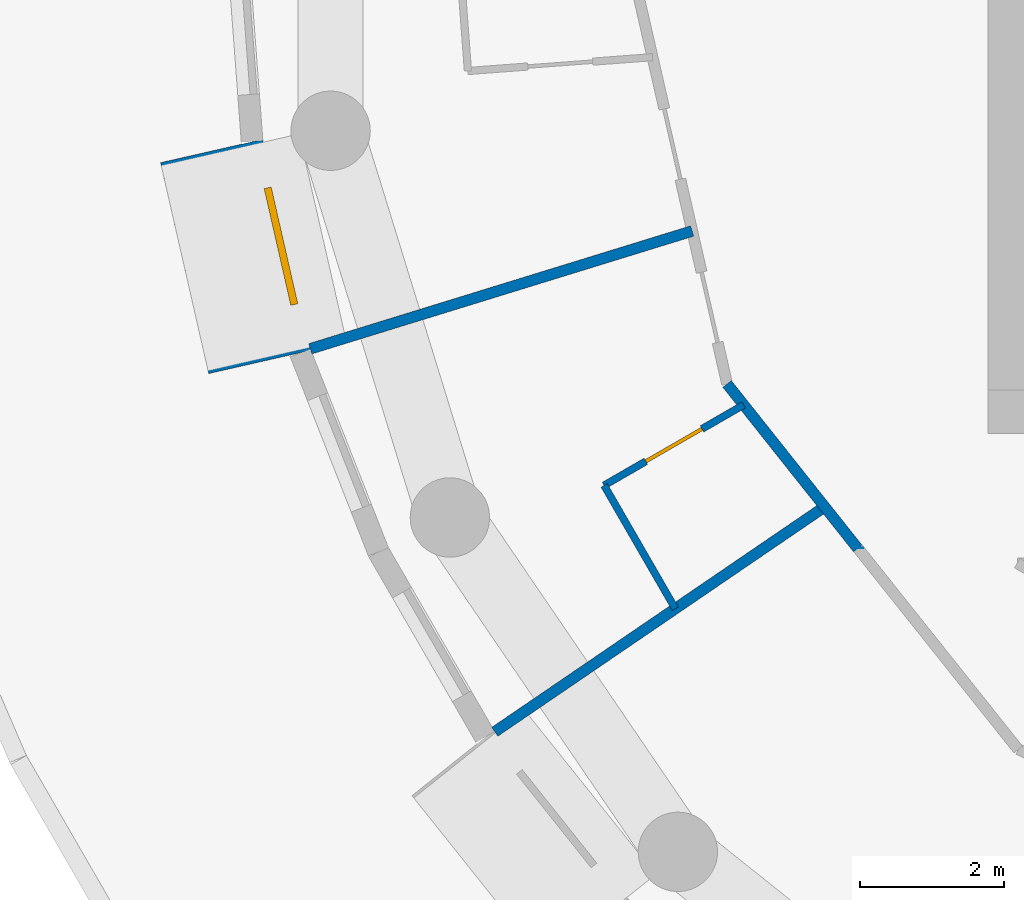
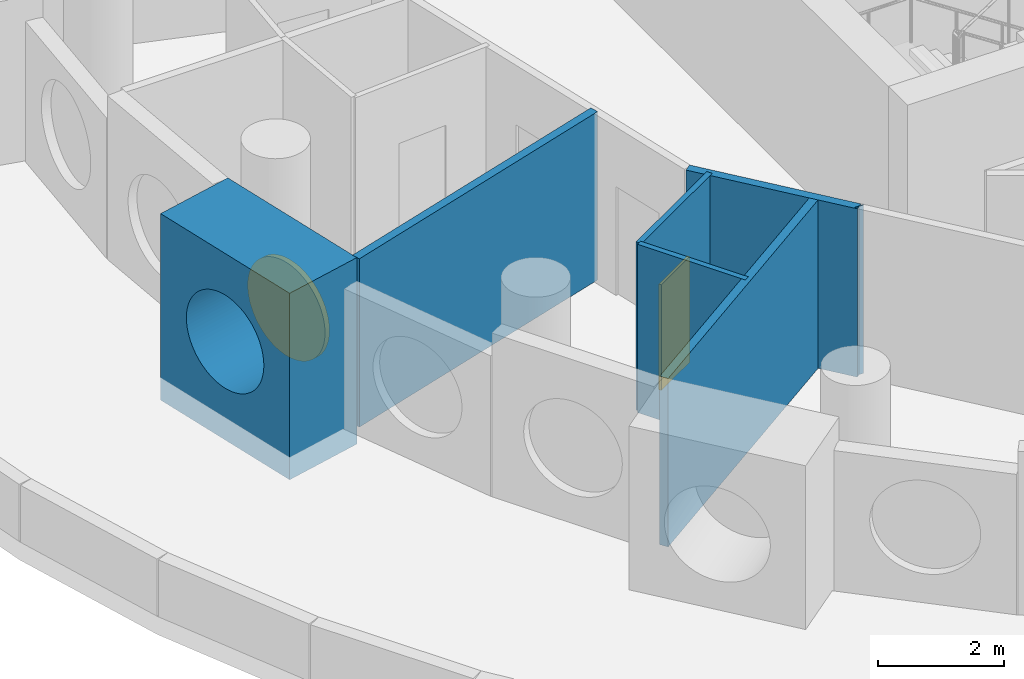
# One storey, part 3 of 13: 7 walls, 1 door, 1 window, 2 openings.
"""IFC4 building model written with IfcOpenShell, lengths in metres."""

from ifc_helpers import new_model, si_unit, direction, frame, frame_2d, origin, origin_2d, place, context, subcontext, project, spatial, rectangle, circle, extrude, material, layer, layer_set, type_object, element, fill, save


model = new_model("IFC4")

# Units and contexts
model_context = context("Model", 3, precision=1e-05, world=origin(), true_north=direction((0.0, 1.0)))
body_context = subcontext(model_context, "Body", "Model", "MODEL_VIEW")
ifc_project = project(units=[si_unit("LENGTHUNIT", "METRE"), si_unit("AREAUNIT", "SQUARE_METRE"), si_unit("VOLUMEUNIT", "CUBIC_METRE"), si_unit("PLANEANGLEUNIT", "RADIAN"), si_unit("MASSUNIT", "GRAM", prefix="KILO")], contexts=[model_context])

# Site, building, storey
site_placement = place(None, origin())
site = spatial("IfcSite", under=ifc_project, at=site_placement, CompositionType="ELEMENT")
building_placement = place(site_placement, origin())
building = spatial("IfcBuilding", under=site, at=building_placement, Name="Tracery Tower", CompositionType="ELEMENT")
storey_placement = place(building_placement, frame((0.0, 0.0, 231.0)))
storey = spatial("IfcBuildingStorey", under=building, at=storey_placement, Name="L59", CompositionType="ELEMENT", Elevation=231.0)

# Wall, opening, window
ifc_material_1 = material(Name="Precast concrete C50/60", Category="concrete")
ifc_layer_1 = layer(ifc_material_1, 1.449951171875)
ifc_layer_set_1 = layer_set([ifc_layer_1], Name="Deep-set bay unit 3000 x 3600, slab edge 350")
wall_type_1 = type_object("IfcWallType", Name="Deep-set bay unit 3000 x 3600, slab edge 350", PredefinedType="ELEMENTEDWALL", material=ifc_layer_set_1)
wall_1_placement = place(storey_placement, frame((-20.262451171875, -3.086181640625, -0.35009765625), z_axis=(0.0, 0.0, 1.0), x_axis=(0.222570682856, -0.974916555985, 0.0)))
wall_1 = element("IfcWall", 1, at=wall_1_placement, inside=storey, type_object=wall_type_1, Name="Deep-set bay unit 23 at L59", PredefinedType="ELEMENTEDWALL", context=body_context, shape_type="SweptSolid", body=[
    extrude(rectangle(XDim=3.0, YDim=1.449951171875, at=frame_2d((1.5, 0.0))), origin(), (0.0, 0.0, 1.0), 3.60009765625),
])
opening_1_placement = place(wall_1_placement, frame((1.5, 0.0, 1.89990234375)))
opening_1 = element("IfcOpeningElement", 2, at=opening_1_placement, cuts=wall_1, Name="Opening WN1", PredefinedType="OPENING", context=body_context, shape_type="SweptSolid", body=[
    extrude(circle(Radius=0.9000244140625, at=origin_2d()), frame((0.0, 0.73486328125, 0.0), z_axis=(0.0, -1.0, 0.0), x_axis=(1.0, 0.0, 0.0)), (0.0, 0.0, 1.0), 1.469970703125),
])
ifc_material_2 = material(Name="Aluminium frame with tinted double glazing", Category="aluminium")
window_type = type_object("IfcWindowType", Name="Round window 1800", PartitioningType="SINGLE_PANEL", PredefinedType="WINDOW", material=ifc_material_2)
window_placement = place(opening_1_placement, origin())
window = element("IfcWindow", 3, at=window_placement, inside=storey, type_object=window_type, Name="Round window 23 at L59", OverallHeight=1.800048828125, OverallWidth=1.800048828125, PartitioningType="SINGLE_PANEL", PredefinedType="WINDOW", context=body_context, shape_type="SweptSolid", body=[
    extrude(circle(Radius=0.9000244140625, at=origin_2d()), frame((0.0, 0.69482421875, 0.0), z_axis=(0.0, -1.0, 0.0), x_axis=(1.0, 0.0, 0.0)), (0.0, 0.0, 1.0), 0.10009765625),
])
fill(opening_1, window)

# Wall, opening, door
ifc_material_3 = material(Name="Plasterboard on steel studs", Category="steel")
ifc_layer_2 = layer(ifc_material_3, 0.10009765625)
ifc_layer_set_2 = layer_set([ifc_layer_2], Name="Partition 100 wet wall")
wall_type_2 = type_object("IfcWallType", Name="Partition 100 wet wall", PredefinedType="PARTITIONING", material=ifc_layer_set_2)
wall_2_placement = place(storey_placement, frame((-14.820068359375, -7.721923828125, 0.0), z_axis=(0.0, 0.0, 1.0), x_axis=(0.866076416361, 0.499911633214, 0.0)))
wall_2 = element("IfcWall", 4, at=wall_2_placement, inside=storey, type_object=wall_type_2, Name="Wet wall RC1-066", PredefinedType="PARTITIONING", context=body_context, shape_type="SweptSolid", body=[
    extrude(rectangle(XDim=2.234375, YDim=0.10009765625, at=frame_2d((1.1171875, 0.0))), origin(), (0.0, 0.0, 1.0), 3.25),
])
opening_2_placement = place(wall_2_placement, frame((0.667236328125, 0.0, 0.0)))
opening_2 = element("IfcOpeningElement", 5, at=opening_2_placement, cuts=wall_2, Name="Opening RC1-18", PredefinedType="OPENING", context=body_context, shape_type="SweptSolid", body=[
    extrude(rectangle(XDim=0.89990234375, YDim=2.0400390625, at=frame_2d((0.449951171875, 1.02001953125))), frame((0.0, 0.050048828125, 0.0), z_axis=(0.0, -1.0, 0.0), x_axis=(1.0, 0.0, 0.0)), (0.0, 0.0, 1.0), 0.10009765625),
])
ifc_material_4 = material(Name="Timber door leaf", Category="wood")
door_type = type_object("IfcDoorType", Name="Door en-suite 900", OperationType="NOTDEFINED", PredefinedType="DOOR", material=ifc_material_4)
door_placement = place(opening_2_placement, origin())
door = element("IfcDoor", 6, at=door_placement, inside=storey, type_object=door_type, Name="En-suite door RC1-18", OperationType="SINGLE_SWING_LEFT", OverallHeight=2.0400390625, OverallWidth=0.89990234375, PredefinedType="DOOR", context=body_context, shape_type="SweptSolid", body=[
    extrude(rectangle(XDim=0.89990234375, YDim=2.0400390625, at=frame_2d((0.449951171875, 1.02001953125))), frame((0.0, 0.02490234375, 0.0), z_axis=(0.0, -1.0, 0.0), x_axis=(1.0, 0.0, 0.0)), (0.0, 0.0, 1.0), 0.050048828125),
])
fill(opening_2, door)

# Walls
wall_3_placement = place(storey_placement, frame((-14.820068359375, -7.721923828125, 0.0), z_axis=(0.0, 0.0, 1.0), x_axis=(0.500143626598, -0.865942465048, 0.0)))
element("IfcWall", 7, at=wall_3_placement, inside=storey, type_object=wall_type_2, Name="Wet wall RC1-067", PredefinedType="PARTITIONING", context=body_context, shape_type="SweptSolid", body=[
    extrude(rectangle(XDim=1.9736328125, YDim=0.10009765625, at=frame_2d((0.98681640625, 0.0))), origin(), (0.0, 0.0, 1.0), 3.25),
])
ifc_material_5 = material(Name="Plasterboard on steel studs", Category="steel")
ifc_layer_3 = layer(ifc_material_5, 0.14990234375)
ifc_layer_set_3 = layer_set([ifc_layer_3], Name="Partition 150 acoustic unit wall")
wall_type_3 = type_object("IfcWallType", Name="Partition 150 acoustic unit wall", PredefinedType="PARTITIONING", material=ifc_layer_set_3)
wall_4_placement = place(storey_placement, frame((-18.89306640625, -5.827880859375, 0.0), z_axis=(0.0, 0.0, 1.0), x_axis=(0.955580602693, 0.294729896274, 0.0)))
element("IfcWall", 8, at=wall_4_placement, inside=storey, type_object=wall_type_3, Name="Unit wall RC1-065", PredefinedType="PARTITIONING", context=body_context, shape_type="SweptSolid", body=[
    extrude(rectangle(XDim=5.5400390625, YDim=0.14990234375, at=frame_2d((2.77001953125, 0.0))), origin(), (0.0, 0.0, 1.0), 3.25),
])
wall_5_placement = place(storey_placement, frame((-16.3359375, -11.137939453125, 0.0), z_axis=(0.0, 0.0, 1.0), x_axis=(0.82615274451, 0.563446219917, 0.0)))
element("IfcWall", 9, at=wall_5_placement, inside=storey, type_object=wall_type_3, Name="Unit wall RC1-068", PredefinedType="PARTITIONING", context=body_context, shape_type="SweptSolid", body=[
    extrude(rectangle(XDim=5.539794921875, YDim=0.14990234375, at=frame_2d((2.77001953125, 0.0))), origin(), (0.0, 0.0, 1.0), 3.25),
])
ifc_material_6 = material(Name="Plasterboard on steel studs", Category="steel")
ifc_layer_4 = layer(ifc_material_6, 0.14990234375)
ifc_layer_set_4 = layer_set([ifc_layer_4], Name="Partition 150 corridor wall")
wall_type_4 = type_object("IfcWallType", Name="Partition 150 corridor wall", PredefinedType="PARTITIONING", material=ifc_layer_set_4)
wall_6_placement = place(storey_placement, frame((-11.300048828125, -8.59619140625, 0.0), z_axis=(0.0, 0.0, 1.0), x_axis=(0.0, 1.0, 0.0)))
element("IfcWall", 10, at=wall_6_placement, inside=storey, type_object=wall_type_4, Name="Corridor wall RC1-017", PredefinedType="PARTITIONING", context=body_context, shape_type="SweptSolid", body=[
    extrude(rectangle(XDim=0.00927734375, YDim=0.14990234375, at=frame_2d((0.004638671875, 0.0))), origin(), (0.0, 0.0, 1.0), 3.25),
])
wall_7_placement = place(storey_placement, frame((-13.114990234375, -6.31591796875, 0.0), z_axis=(0.0, 0.0, 1.0), x_axis=(0.622042479172, -0.782983495423, 0.0)))
element("IfcWall", 11, at=wall_7_placement, inside=storey, type_object=wall_type_4, Name="Corridor wall RC1-036", PredefinedType="PARTITIONING", context=body_context, shape_type="SweptSolid", body=[
    extrude(rectangle(XDim=2.9111328125, YDim=0.14990234375, at=frame_2d((1.45556640625, 0.0))), origin(), (0.0, 0.0, 1.0), 3.25),
])

save(model, "model.ifc")
